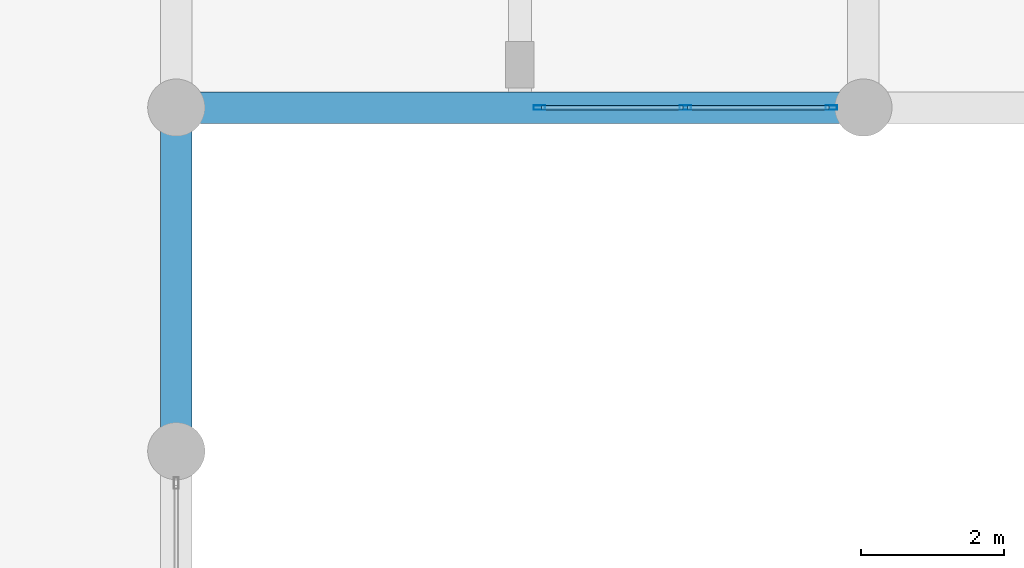
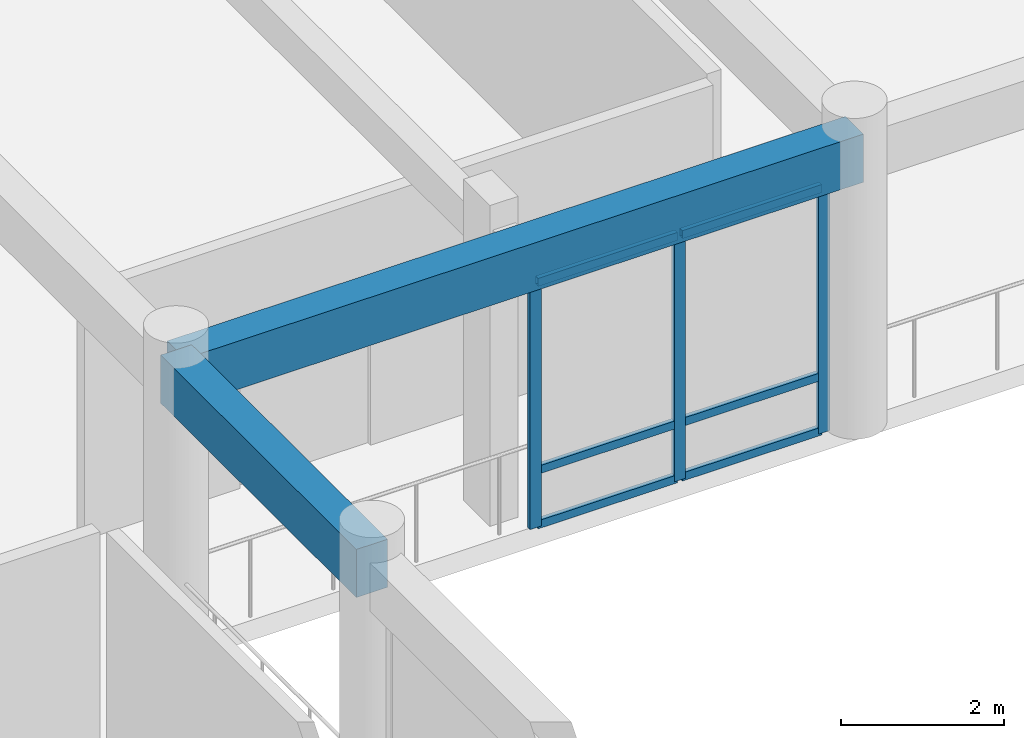
# One storey, part 35 of 133: 9 members, 2 beams, 1 element without a shape of its own.
"""IFC4 building model written with IfcOpenShell, lengths in metres."""

from ifc_helpers import new_model, si_unit, direction, frame, origin, origin_2d, place, context, subcontext, project, spatial, rectangle, hollow_rectangle, extrude, material, layer, layer_set, material_profile, profile_set, type_object, element, aggregate, save


model = new_model("IFC4")

# Units and contexts
model_context = context("Model", 3, precision=1e-05, world=origin(), true_north=direction((0.0, 1.0)))
body_context = subcontext(model_context, "Body", "Model", "MODEL_VIEW")
ifc_project = project(units=[si_unit("LENGTHUNIT", "METRE"), si_unit("AREAUNIT", "SQUARE_METRE"), si_unit("VOLUMEUNIT", "CUBIC_METRE"), si_unit("PLANEANGLEUNIT", "RADIAN"), si_unit("MASSUNIT", "GRAM", prefix="KILO")], contexts=[model_context])

# Site, building, storey
site_placement = place(None, origin())
site = spatial("IfcSite", under=ifc_project, at=site_placement, CompositionType="ELEMENT")
building_placement = place(site_placement, origin())
building = spatial("IfcBuilding", under=site, at=building_placement, Name="Nakhvara Creek Congress Hotel", CompositionType="ELEMENT")
storey_placement = place(building_placement, frame((0.0, 0.0, 11.39990234375)))
storey = spatial("IfcBuildingStorey", under=building, at=storey_placement, Name="L02", CompositionType="ELEMENT", Elevation=11.39990234375)

# Beams
ifc_material_1 = material(Name="Concrete C40/50", Category="concrete")
ifc_material_profile_1 = material_profile(ifc_material_1, rectangle(XDim=0.43994140625, YDim=0.719970703125, at=origin_2d()), Name="RC-BM 440x720", Category="LoadBearing")
ifc_profile_set_1 = profile_set([ifc_material_profile_1], Name="Concrete C40/50")
beam_type = type_object("IfcBeamType", Name="BM-RC-440X720", PredefinedType="BEAM", material=ifc_profile_set_1)
beam_1_placement = place(storey_placement, frame((76.800048828125, 72.0, 4.06005859375), z_axis=(0.0, 1.0, 0.0), x_axis=(-1.0, 0.0, 0.0)))
element("IfcBeam", 1, at=beam_1_placement, inside=storey, type_object=beam_type, Name="Beam B12-L02-1460", PredefinedType="BEAM", context=body_context, shape_type="SweptSolid", body=[
    extrude(rectangle(XDim=0.43994140625, YDim=0.719970703125, at=origin_2d()), origin(), (0.0, 0.0, 1.0), 4.800048828125),
])
beam_2_placement = place(storey_placement, frame((76.800048828125, 76.800048828125, 4.06005859375), z_axis=(1.0, 0.0, 0.0), x_axis=(0.0, 1.0, 0.0)))
element("IfcBeam", 2, at=beam_2_placement, inside=storey, type_object=beam_type, Name="Beam B12-L02-1462", PredefinedType="BEAM", context=body_context, shape_type="SweptSolid", body=[
    extrude(rectangle(XDim=0.43994140625, YDim=0.719970703125, at=origin_2d()), origin(), (0.0, 0.0, 1.0), 9.599853515625),
])

# Curtain wall, members
ifc_material_2 = material(Name="Bronze-anodised aluminium AW-6063-T6 and double-silver low-E glass", Category="aluminium")
ifc_layer = layer(ifc_material_2, 0.199951171875)
ifc_layer_set = layer_set([ifc_layer], Name="Bronze-anodised aluminium AW-6063-T6 and double-silver low-E glass")
curtain_wall_type = type_object("IfcCurtainWallType", Name="CW-POD-STICK", PredefinedType="NOTDEFINED", material=ifc_layer_set)
curtain_wall_placement = place(storey_placement, origin())
curtain_wall = element("IfcCurtainWall", 3, at=curtain_wall_placement, inside=storey, type_object=curtain_wall_type, Name="Curtain Wall CW034", PredefinedType="NOTDEFINED")
ifc_material_3 = material(Name="Bronze-anodised aluminium AW-6063-T6", Category="aluminium")
ifc_material_profile_2 = material_profile(ifc_material_3, hollow_rectangle(XDim=0.06494140625, YDim=0.159912109375, WallThickness=0.00390625, at=origin_2d()), Name="ALU-MULL 65x160x4", Category="LoadBearing")
ifc_profile_set_2 = profile_set([ifc_material_profile_2], Name="Bronze-anodised aluminium AW-6063-T6")
member_type_1 = type_object("IfcMemberType", Name="CW-MULL-160", PredefinedType="MULLION", material=ifc_profile_set_2)
member_1_placement = place(storey_placement, frame((85.952392578125, 76.800048828125, 0.0), z_axis=(0.0, 0.0, 1.0), x_axis=(0.0, -1.0, 0.0)))
member_1 = element("IfcMember", 4, at=member_1_placement, type_object=member_type_1, Name="CW034 mullion 1", PredefinedType="MULLION", context=body_context, shape_type="SweptSolid", body=[
    extrude(hollow_rectangle(XDim=0.06494140625, YDim=0.159912109375, WallThickness=0.00390625, at=origin_2d()), origin(), (0.0, 0.0, 1.0), 3.692138671875),
])
member_2_placement = place(storey_placement, frame((83.91259765625, 76.800048828125, 0.0), z_axis=(0.0, 0.0, 1.0), x_axis=(0.0, -1.0, 0.0)))
member_2 = element("IfcMember", 5, at=member_2_placement, type_object=member_type_1, Name="CW034 mullion 2", PredefinedType="MULLION", context=body_context, shape_type="SweptSolid", body=[
    extrude(hollow_rectangle(XDim=0.06494140625, YDim=0.159912109375, WallThickness=0.00390625, at=origin_2d()), origin(), (0.0, 0.0, 1.0), 3.692138671875),
])
member_3_placement = place(storey_placement, frame((81.87255859375, 76.800048828125, 0.0), z_axis=(0.0, 0.0, 1.0), x_axis=(0.0, -1.0, 0.0)))
member_3 = element("IfcMember", 6, at=member_3_placement, type_object=member_type_1, Name="CW034 mullion 3", PredefinedType="MULLION", context=body_context, shape_type="SweptSolid", body=[
    extrude(hollow_rectangle(XDim=0.06494140625, YDim=0.159912109375, WallThickness=0.00390625, at=origin_2d()), origin(), (0.0, 0.0, 1.0), 3.692138671875),
])
ifc_material_profile_3 = material_profile(ifc_material_3, hollow_rectangle(XDim=0.06494140625, YDim=0.1201171875, WallThickness=0.00390625, at=origin_2d()), Name="ALU-TRAN 65x120x4", Category="LoadBearing")
ifc_profile_set_3 = profile_set([ifc_material_profile_3], Name="Bronze-anodised aluminium AW-6063-T6")
member_type_2 = type_object("IfcMemberType", Name="CW-TRAN-120", PredefinedType="USERDEFINED", material=ifc_profile_set_3)
member_4_placement = place(storey_placement, frame((85.919921875, 76.800048828125, 0.03271484375), z_axis=(-1.0, 0.0, 0.0), x_axis=(0.0, -1.0, 0.0)))
member_4 = element("IfcMember", 7, at=member_4_placement, type_object=member_type_2, Name="CW034 transom 1.1", ObjectType="TRANSOM", PredefinedType="USERDEFINED", context=body_context, shape_type="SweptSolid", body=[
    extrude(hollow_rectangle(XDim=0.06494140625, YDim=0.1201171875, WallThickness=0.00390625, at=origin_2d()), origin(), (0.0, 0.0, 1.0), 1.974853515625),
])
member_5_placement = place(storey_placement, frame((85.919921875, 76.800048828125, 0.85009765625), z_axis=(-1.0, 0.0, 0.0), x_axis=(0.0, -1.0, 0.0)))
member_5 = element("IfcMember", 8, at=member_5_placement, type_object=member_type_2, Name="CW034 transom 1.2", ObjectType="TRANSOM", PredefinedType="USERDEFINED", context=body_context, shape_type="SweptSolid", body=[
    extrude(hollow_rectangle(XDim=0.06494140625, YDim=0.1201171875, WallThickness=0.00390625, at=origin_2d()), origin(), (0.0, 0.0, 1.0), 1.974853515625),
])
member_6_placement = place(storey_placement, frame((85.919921875, 76.800048828125, 3.65966796875), z_axis=(-1.0, 0.0, 0.0), x_axis=(0.0, -1.0, 0.0)))
member_6 = element("IfcMember", 9, at=member_6_placement, type_object=member_type_2, Name="CW034 transom 1.3", ObjectType="TRANSOM", PredefinedType="USERDEFINED", context=body_context, shape_type="SweptSolid", body=[
    extrude(hollow_rectangle(XDim=0.06494140625, YDim=0.1201171875, WallThickness=0.00390625, at=origin_2d()), origin(), (0.0, 0.0, 1.0), 1.974853515625),
])
member_7_placement = place(storey_placement, frame((83.8798828125, 76.800048828125, 0.03271484375), z_axis=(-1.0, 0.0, 0.0), x_axis=(0.0, -1.0, 0.0)))
member_7 = element("IfcMember", 10, at=member_7_placement, type_object=member_type_2, Name="CW034 transom 2.1", ObjectType="TRANSOM", PredefinedType="USERDEFINED", context=body_context, shape_type="SweptSolid", body=[
    extrude(hollow_rectangle(XDim=0.06494140625, YDim=0.1201171875, WallThickness=0.00390625, at=origin_2d()), origin(), (0.0, 0.0, 1.0), 1.974853515625),
])
member_8_placement = place(storey_placement, frame((83.8798828125, 76.800048828125, 0.85009765625), z_axis=(-1.0, 0.0, 0.0), x_axis=(0.0, -1.0, 0.0)))
member_8 = element("IfcMember", 11, at=member_8_placement, type_object=member_type_2, Name="CW034 transom 2.2", ObjectType="TRANSOM", PredefinedType="USERDEFINED", context=body_context, shape_type="SweptSolid", body=[
    extrude(hollow_rectangle(XDim=0.06494140625, YDim=0.1201171875, WallThickness=0.00390625, at=origin_2d()), origin(), (0.0, 0.0, 1.0), 1.974853515625),
])
member_9_placement = place(storey_placement, frame((83.8798828125, 76.800048828125, 3.65966796875), z_axis=(-1.0, 0.0, 0.0), x_axis=(0.0, -1.0, 0.0)))
member_9 = element("IfcMember", 12, at=member_9_placement, type_object=member_type_2, Name="CW034 transom 2.3", ObjectType="TRANSOM", PredefinedType="USERDEFINED", context=body_context, shape_type="SweptSolid", body=[
    extrude(hollow_rectangle(XDim=0.06494140625, YDim=0.1201171875, WallThickness=0.00390625, at=origin_2d()), origin(), (0.0, 0.0, 1.0), 1.974853515625),
])
aggregate(curtain_wall, [member_1, member_2, member_3, member_4, member_5, member_6, member_7, member_8, member_9])

save(model, "model.ifc")
